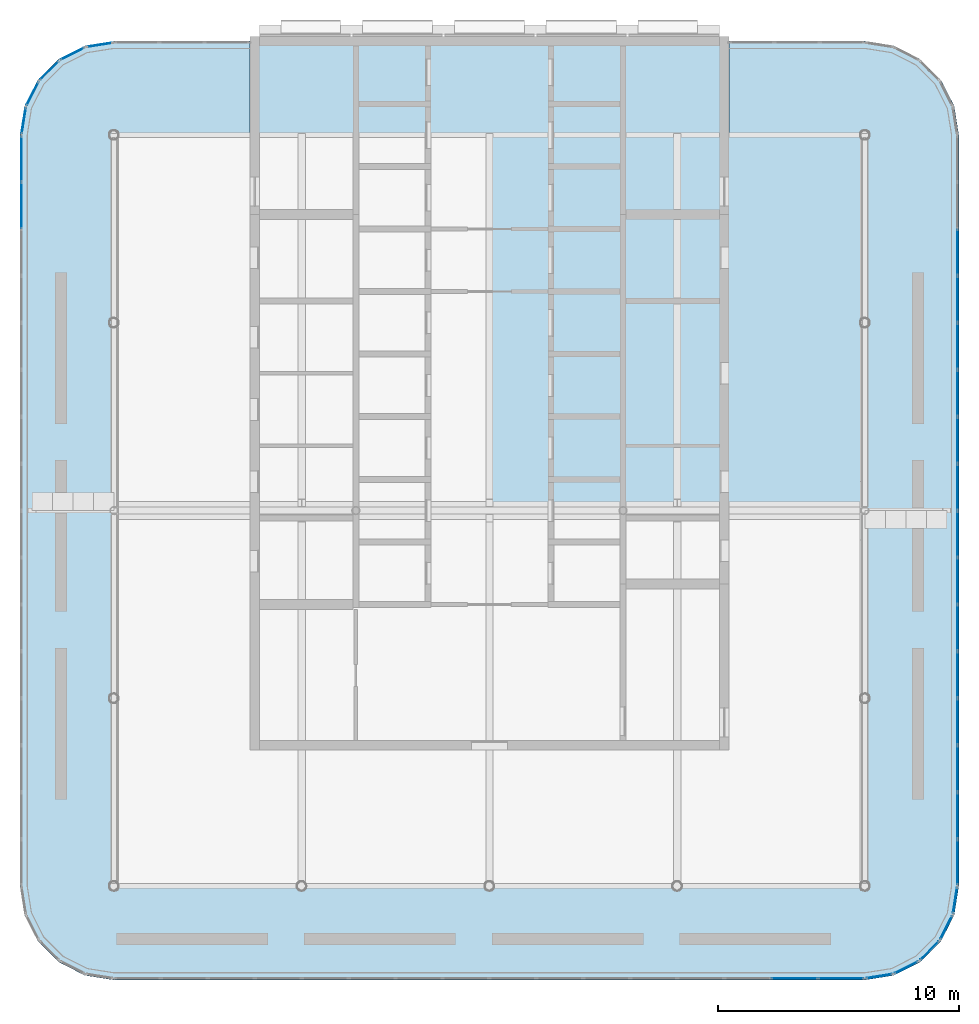
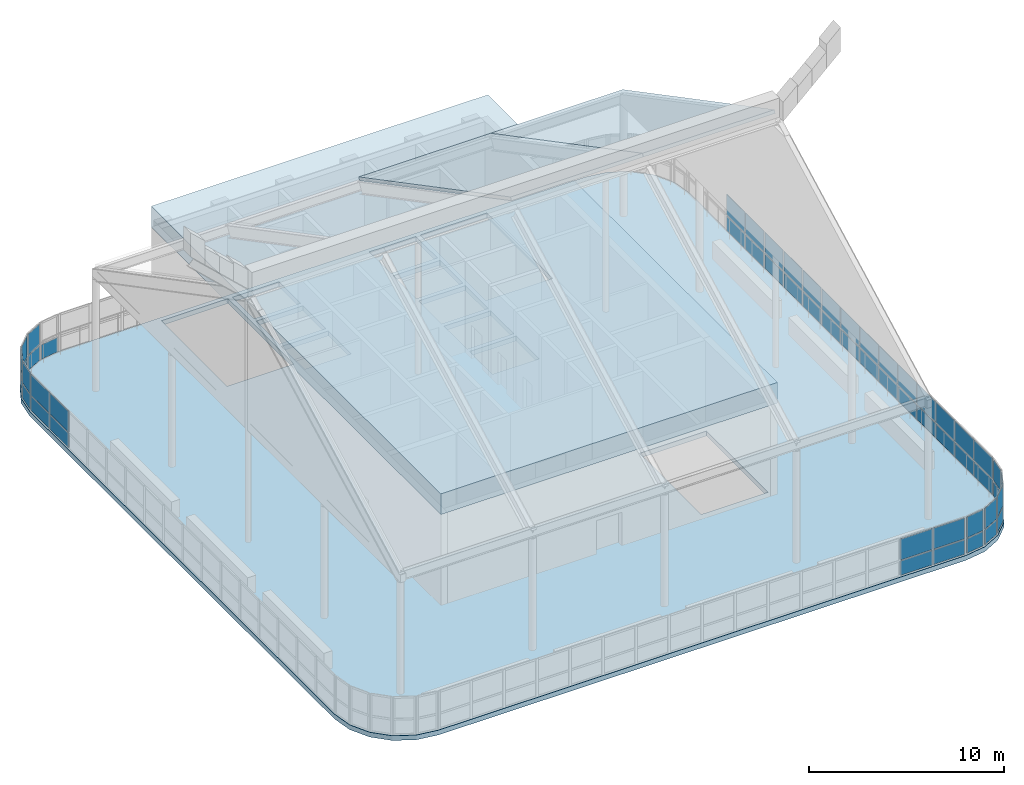
# One storey, part 14 of 19: 55 plates, 4 slabs, 13 elements without a shape of their own.
"""IFC4 building model written with IfcOpenShell, lengths in metres."""

from ifc_helpers import new_model, si_unit, direction, frame, origin, origin_2d, place, context, subcontext, project, spatial, polyline, rectangle, outline, extrude, material, layer, layer_set, type_object, element, aggregate, save


model = new_model("IFC4")

# Units and contexts
model_context = context("Model", 3, precision=1e-05, world=origin(), true_north=direction((0.0, 1.0)))
body_context = subcontext(model_context, "Body", "Model", "MODEL_VIEW")
ifc_project = project(units=[si_unit("LENGTHUNIT", "METRE"), si_unit("AREAUNIT", "SQUARE_METRE"), si_unit("VOLUMEUNIT", "CUBIC_METRE"), si_unit("PLANEANGLEUNIT", "RADIAN"), si_unit("MASSUNIT", "GRAM", prefix="KILO")], contexts=[model_context])

# Site, building, storey
site_placement = place(None, origin())
site = spatial("IfcSite", under=ifc_project, at=site_placement, CompositionType="ELEMENT")
building_placement = place(site_placement, origin())
building = spatial("IfcBuilding", under=site, at=building_placement, Name="Ludao Terraces", CompositionType="ELEMENT")
storey_placement = place(building_placement, frame((0.0, 0.0, 266.39990234375)))
storey = spatial("IfcBuildingStorey", under=building, at=storey_placement, Name="L73", CompositionType="ELEMENT", Elevation=266.39990234375)

# Slabs
ifc_material_1 = material(Name="Concrete C40", Category="concrete")
ifc_layer_1 = layer(ifc_material_1, 1.29541015625)
ifc_layer_set_1 = layer_set([ifc_layer_1], Name="Crown transfer slab 1295 C40")
slab_type_1 = type_object("IfcSlabType", Name="Crown transfer slab 1295 C40", PredefinedType="ROOF", material=ifc_layer_set_1)
slab_1_placement = place(storey_placement, frame((0.0, 0.0, 5.7001953125)))
element("IfcSlab", 1, at=slab_1_placement, inside=storey, type_object=slab_type_1, Name="Crown transfer slab", PredefinedType="ROOF", context=body_context, shape_type="SweptSolid", body=[
    extrude(outline(polyline([(75.050048828125, 55.050048828125), (94.949951171875, 55.050048828125), (94.949951171875, 84.699951171875), (75.050048828125, 84.699951171875), (75.050048828125, 55.050048828125)])), origin(), (0.0, 0.0, 1.0), 1.29541015625),
])
ifc_layer_2 = layer(ifc_material_1, 0.300048828125)
ifc_layer_set_2 = layer_set([ifc_layer_2], Name="Deck slab 300 C40")
slab_type_2 = type_object("IfcSlabType", Name="Deck slab 300 C40", PredefinedType="FLOOR", material=ifc_layer_set_2)
slab_2_placement = place(storey_placement, frame((0.0, 0.0, -0.2998046875)))
element("IfcSlab", 2, at=slab_2_placement, inside=storey, type_object=slab_type_2, Name="Slab L73", PredefinedType="FLOOR", context=body_context, shape_type="SweptSolid", body=[
    extrude(outline(polyline([(100.60009765625, 45.5), (101.80517578125, 45.69091796875), (102.892333984375, 46.244873046875), (103.755126953125, 47.107666015625), (104.30908203125, 48.19482421875), (104.5, 49.39990234375), (104.5, 80.60009765625), (104.30908203125, 81.80517578125), (103.755126953125, 82.892333984375), (102.892333984375, 83.755126953125), (101.80517578125, 84.30908203125), (100.60009765625, 84.5), (69.39990234375, 84.5), (68.19482421875, 84.30908203125), (67.107666015625, 83.755126953125), (66.244873046875, 82.892333984375), (65.69091796875, 81.80517578125), (65.5, 80.60009765625), (65.5, 49.39990234375), (65.69091796875, 48.19482421875), (66.244873046875, 47.107666015625), (67.107666015625, 46.244873046875), (68.19482421875, 45.69091796875), (69.39990234375, 45.5), (100.60009765625, 45.5)]), holes=[polyline([(79.574951171875, 76.824951171875), (82.324951171875, 76.824951171875), (82.324951171875, 79.175048828125), (79.574951171875, 79.175048828125), (79.574951171875, 76.824951171875)]), polyline([(79.574951171875, 79.425048828125), (82.324951171875, 79.425048828125), (82.324951171875, 81.77490234375), (79.574951171875, 81.77490234375), (79.574951171875, 79.425048828125)]), polyline([(79.574951171875, 82.02490234375), (82.324951171875, 82.02490234375), (82.324951171875, 84.239990234375), (79.574951171875, 84.239990234375), (79.574951171875, 82.02490234375)]), polyline([(87.675048828125, 71.625), (90.425048828125, 71.625), (90.425048828125, 73.97509765625), (87.675048828125, 73.97509765625), (87.675048828125, 71.625)]), polyline([(87.675048828125, 74.22509765625), (90.425048828125, 74.22509765625), (90.425048828125, 76.574951171875), (87.675048828125, 76.574951171875), (87.675048828125, 74.22509765625)]), polyline([(87.675048828125, 76.824951171875), (90.425048828125, 76.824951171875), (90.425048828125, 79.175048828125), (87.675048828125, 79.175048828125), (87.675048828125, 76.824951171875)]), polyline([(87.675048828125, 79.425048828125), (90.425048828125, 79.425048828125), (90.425048828125, 81.77490234375), (87.675048828125, 81.77490234375), (87.675048828125, 79.425048828125)]), polyline([(87.675048828125, 82.02490234375), (90.425048828125, 82.02490234375), (90.425048828125, 84.239990234375), (87.675048828125, 84.239990234375), (87.675048828125, 82.02490234375)]), polyline([(75.375, 77.5), (79.324951171875, 77.5), (79.324951171875, 84.239990234375), (75.375, 84.239990234375), (75.375, 77.5)]), polyline([(90.675048828125, 77.5), (94.625, 77.5), (94.625, 84.239990234375), (90.675048828125, 84.239990234375), (90.675048828125, 77.5)]), polyline([(90.675048828125, 55.449951171875), (94.625, 55.449951171875), (94.625, 61.75), (90.675048828125, 61.75), (90.675048828125, 55.449951171875)])]), origin(), (0.0, 0.0, 1.0), 0.2998046875),
])

# Curtain wall, plates
ifc_material_2 = material(Name="Aluminium curtain wall with fritted glass", Category="aluminium")
curtain_wall_type = type_object("IfcCurtainWallType", Name="ENV CW6 crown screen glazing", PredefinedType="NOTDEFINED", material=ifc_material_2)
curtain_wall_1_placement = place(storey_placement, origin())
curtain_wall_1 = element("IfcCurtainWall", 3, at=curtain_wall_1_placement, inside=storey, type_object=curtain_wall_type, Name="Deck windscreen S1", PredefinedType="NOTDEFINED")
ifc_material_3 = material(Name="Fritted glass panel", Category="glass")
ifc_layer_3 = layer(ifc_material_3, 0.030029296875)
ifc_layer_set_3 = layer_set([ifc_layer_3], Name="ENV CW6 glass panel")
plate_type = type_object("IfcPlateType", Name="ENV CW6 glass panel", PredefinedType="CURTAIN_PANEL", material=ifc_layer_set_3)
plate_1_placement = place(storey_placement, frame((97.675048828125, 45.56005859375, 0.070068359375), z_axis=(0.0, 0.0, 1.0), x_axis=(1.0, 0.0, 0.0)))
plate_1 = element("IfcPlate", 4, at=plate_1_placement, type_object=plate_type, Name="CW6 panel 15.1", PredefinedType="CURTAIN_PANEL", context=body_context, shape_type="SweptSolid", body=[
    extrude(rectangle(XDim=1.8798828125, YDim=0.030029296875, at=origin_2d()), origin(), (0.0, 0.0, 1.0), 0.89501953125),
])
plate_2_placement = place(storey_placement, frame((97.675048828125, 45.56005859375, 1.03515625), z_axis=(0.0, 0.0, 1.0), x_axis=(1.0, 0.0, 0.0)))
plate_2 = element("IfcPlate", 5, at=plate_2_placement, type_object=plate_type, Name="CW6 panel 15.2", PredefinedType="CURTAIN_PANEL", context=body_context, shape_type="SweptSolid", body=[
    extrude(rectangle(XDim=1.8798828125, YDim=0.030029296875, at=origin_2d()), origin(), (0.0, 0.0, 1.0), 1.294921875),
])
plate_3_placement = place(storey_placement, frame((99.607421875, 45.56005859375, 0.070068359375), z_axis=(0.0, 0.0, 1.0), x_axis=(1.0, 0.0, 0.0)))
plate_3 = element("IfcPlate", 6, at=plate_3_placement, type_object=plate_type, Name="CW6 panel 16.1", PredefinedType="CURTAIN_PANEL", context=body_context, shape_type="SweptSolid", body=[
    extrude(rectangle(XDim=1.844970703125, YDim=0.030029296875, at=origin_2d()), origin(), (0.0, 0.0, 1.0), 0.89501953125),
])
plate_4_placement = place(storey_placement, frame((99.607421875, 45.56005859375, 1.03515625), z_axis=(0.0, 0.0, 1.0), x_axis=(1.0, 0.0, 0.0)))
plate_4 = element("IfcPlate", 7, at=plate_4_placement, type_object=plate_type, Name="CW6 panel 16.2", PredefinedType="CURTAIN_PANEL", context=body_context, shape_type="SweptSolid", body=[
    extrude(rectangle(XDim=1.844970703125, YDim=0.030029296875, at=origin_2d()), origin(), (0.0, 0.0, 1.0), 1.294921875),
])
aggregate(curtain_wall_1, [plate_1, plate_2, plate_3, plate_4])

curtain_wall_2_placement = place(storey_placement, origin())
curtain_wall_2 = element("IfcCurtainWall", 8, at=curtain_wall_2_placement, inside=storey, type_object=curtain_wall_type, Name="Deck windscreen E1", PredefinedType="NOTDEFINED")
plate_5_placement = place(storey_placement, frame((104.43994140625, 50.392578125, 0.070068359375), z_axis=(0.0, 0.0, 1.0), x_axis=(0.0, 1.0, 0.0)))
plate_5 = element("IfcPlate", 9, at=plate_5_placement, type_object=plate_type, Name="CW6 panel 1.1", PredefinedType="CURTAIN_PANEL", context=body_context, shape_type="SweptSolid", body=[
    extrude(rectangle(XDim=1.844970703125, YDim=0.030029296875, at=origin_2d()), origin(), (0.0, 0.0, 1.0), 0.89501953125),
])
plate_6_placement = place(storey_placement, frame((104.43994140625, 50.392578125, 1.03515625), z_axis=(0.0, 0.0, 1.0), x_axis=(0.0, 1.0, 0.0)))
plate_6 = element("IfcPlate", 10, at=plate_6_placement, type_object=plate_type, Name="CW6 panel 1.2", PredefinedType="CURTAIN_PANEL", context=body_context, shape_type="SweptSolid", body=[
    extrude(rectangle(XDim=1.844970703125, YDim=0.030029296875, at=origin_2d()), origin(), (0.0, 0.0, 1.0), 1.294921875),
])
plate_7_placement = place(storey_placement, frame((104.43994140625, 52.324951171875, 0.070068359375), z_axis=(0.0, 0.0, 1.0), x_axis=(0.0, 1.0, 0.0)))
plate_7 = element("IfcPlate", 11, at=plate_7_placement, type_object=plate_type, Name="CW6 panel 2.1", PredefinedType="CURTAIN_PANEL", context=body_context, shape_type="SweptSolid", body=[
    extrude(rectangle(XDim=1.8798828125, YDim=0.030029296875, at=origin_2d()), origin(), (0.0, 0.0, 1.0), 0.89501953125),
])
plate_8_placement = place(storey_placement, frame((104.43994140625, 52.324951171875, 1.03515625), z_axis=(0.0, 0.0, 1.0), x_axis=(0.0, 1.0, 0.0)))
plate_8 = element("IfcPlate", 12, at=plate_8_placement, type_object=plate_type, Name="CW6 panel 2.2", PredefinedType="CURTAIN_PANEL", context=body_context, shape_type="SweptSolid", body=[
    extrude(rectangle(XDim=1.8798828125, YDim=0.030029296875, at=origin_2d()), origin(), (0.0, 0.0, 1.0), 1.294921875),
])
plate_9_placement = place(storey_placement, frame((104.43994140625, 54.27490234375, 0.070068359375), z_axis=(0.0, 0.0, 1.0), x_axis=(0.0, 1.0, 0.0)))
plate_9 = element("IfcPlate", 13, at=plate_9_placement, type_object=plate_type, Name="CW6 panel 3.1", PredefinedType="CURTAIN_PANEL", context=body_context, shape_type="SweptSolid", body=[
    extrude(rectangle(XDim=1.8798828125, YDim=0.030029296875, at=origin_2d()), origin(), (0.0, 0.0, 1.0), 0.89501953125),
])
plate_10_placement = place(storey_placement, frame((104.43994140625, 54.27490234375, 1.03515625), z_axis=(0.0, 0.0, 1.0), x_axis=(0.0, 1.0, 0.0)))
plate_10 = element("IfcPlate", 14, at=plate_10_placement, type_object=plate_type, Name="CW6 panel 3.2", PredefinedType="CURTAIN_PANEL", context=body_context, shape_type="SweptSolid", body=[
    extrude(rectangle(XDim=1.8798828125, YDim=0.030029296875, at=origin_2d()), origin(), (0.0, 0.0, 1.0), 1.294921875),
])
plate_11_placement = place(storey_placement, frame((104.43994140625, 56.22509765625, 0.070068359375), z_axis=(0.0, 0.0, 1.0), x_axis=(0.0, 1.0, 0.0)))
plate_11 = element("IfcPlate", 15, at=plate_11_placement, type_object=plate_type, Name="CW6 panel 4.1", PredefinedType="CURTAIN_PANEL", context=body_context, shape_type="SweptSolid", body=[
    extrude(rectangle(XDim=1.8798828125, YDim=0.030029296875, at=origin_2d()), origin(), (0.0, 0.0, 1.0), 0.89501953125),
])
plate_12_placement = place(storey_placement, frame((104.43994140625, 56.22509765625, 1.03515625), z_axis=(0.0, 0.0, 1.0), x_axis=(0.0, 1.0, 0.0)))
plate_12 = element("IfcPlate", 16, at=plate_12_placement, type_object=plate_type, Name="CW6 panel 4.2", PredefinedType="CURTAIN_PANEL", context=body_context, shape_type="SweptSolid", body=[
    extrude(rectangle(XDim=1.8798828125, YDim=0.030029296875, at=origin_2d()), origin(), (0.0, 0.0, 1.0), 1.294921875),
])
plate_13_placement = place(storey_placement, frame((104.43994140625, 58.175048828125, 0.070068359375), z_axis=(0.0, 0.0, 1.0), x_axis=(0.0, 1.0, 0.0)))
plate_13 = element("IfcPlate", 17, at=plate_13_placement, type_object=plate_type, Name="CW6 panel 5.1", PredefinedType="CURTAIN_PANEL", context=body_context, shape_type="SweptSolid", body=[
    extrude(rectangle(XDim=1.8798828125, YDim=0.030029296875, at=origin_2d()), origin(), (0.0, 0.0, 1.0), 0.89501953125),
])
plate_14_placement = place(storey_placement, frame((104.43994140625, 58.175048828125, 1.03515625), z_axis=(0.0, 0.0, 1.0), x_axis=(0.0, 1.0, 0.0)))
plate_14 = element("IfcPlate", 18, at=plate_14_placement, type_object=plate_type, Name="CW6 panel 5.2", PredefinedType="CURTAIN_PANEL", context=body_context, shape_type="SweptSolid", body=[
    extrude(rectangle(XDim=1.8798828125, YDim=0.030029296875, at=origin_2d()), origin(), (0.0, 0.0, 1.0), 1.294921875),
])
plate_15_placement = place(storey_placement, frame((104.43994140625, 60.125, 0.070068359375), z_axis=(0.0, 0.0, 1.0), x_axis=(0.0, 1.0, 0.0)))
plate_15 = element("IfcPlate", 19, at=plate_15_placement, type_object=plate_type, Name="CW6 panel 6.1", PredefinedType="CURTAIN_PANEL", context=body_context, shape_type="SweptSolid", body=[
    extrude(rectangle(XDim=1.8798828125, YDim=0.030029296875, at=origin_2d()), origin(), (0.0, 0.0, 1.0), 0.89501953125),
])
plate_16_placement = place(storey_placement, frame((104.43994140625, 60.125, 1.03515625), z_axis=(0.0, 0.0, 1.0), x_axis=(0.0, 1.0, 0.0)))
plate_16 = element("IfcPlate", 20, at=plate_16_placement, type_object=plate_type, Name="CW6 panel 6.2", PredefinedType="CURTAIN_PANEL", context=body_context, shape_type="SweptSolid", body=[
    extrude(rectangle(XDim=1.8798828125, YDim=0.030029296875, at=origin_2d()), origin(), (0.0, 0.0, 1.0), 1.294921875),
])
plate_17_placement = place(storey_placement, frame((104.43994140625, 62.074951171875, 0.070068359375), z_axis=(0.0, 0.0, 1.0), x_axis=(0.0, 1.0, 0.0)))
plate_17 = element("IfcPlate", 21, at=plate_17_placement, type_object=plate_type, Name="CW6 panel 7.1", PredefinedType="CURTAIN_PANEL", context=body_context, shape_type="SweptSolid", body=[
    extrude(rectangle(XDim=1.8798828125, YDim=0.030029296875, at=origin_2d()), origin(), (0.0, 0.0, 1.0), 0.89501953125),
])
plate_18_placement = place(storey_placement, frame((104.43994140625, 62.074951171875, 1.03515625), z_axis=(0.0, 0.0, 1.0), x_axis=(0.0, 1.0, 0.0)))
plate_18 = element("IfcPlate", 22, at=plate_18_placement, type_object=plate_type, Name="CW6 panel 7.2", PredefinedType="CURTAIN_PANEL", context=body_context, shape_type="SweptSolid", body=[
    extrude(rectangle(XDim=1.8798828125, YDim=0.030029296875, at=origin_2d()), origin(), (0.0, 0.0, 1.0), 1.294921875),
])
plate_19_placement = place(storey_placement, frame((104.43994140625, 64.02490234375, 0.070068359375), z_axis=(0.0, 0.0, 1.0), x_axis=(0.0, 1.0, 0.0)))
plate_19 = element("IfcPlate", 23, at=plate_19_placement, type_object=plate_type, Name="CW6 panel 8.1", PredefinedType="CURTAIN_PANEL", context=body_context, shape_type="SweptSolid", body=[
    extrude(rectangle(XDim=1.8798828125, YDim=0.030029296875, at=origin_2d()), origin(), (0.0, 0.0, 1.0), 0.89501953125),
])
plate_20_placement = place(storey_placement, frame((104.43994140625, 64.02490234375, 1.03515625), z_axis=(0.0, 0.0, 1.0), x_axis=(0.0, 1.0, 0.0)))
plate_20 = element("IfcPlate", 24, at=plate_20_placement, type_object=plate_type, Name="CW6 panel 8.2", PredefinedType="CURTAIN_PANEL", context=body_context, shape_type="SweptSolid", body=[
    extrude(rectangle(XDim=1.8798828125, YDim=0.030029296875, at=origin_2d()), origin(), (0.0, 0.0, 1.0), 1.294921875),
])
plate_21_placement = place(storey_placement, frame((104.43994140625, 65.97509765625, 0.070068359375), z_axis=(0.0, 0.0, 1.0), x_axis=(0.0, 1.0, 0.0)))
plate_21 = element("IfcPlate", 25, at=plate_21_placement, type_object=plate_type, Name="CW6 panel 9.1", PredefinedType="CURTAIN_PANEL", context=body_context, shape_type="SweptSolid", body=[
    extrude(rectangle(XDim=1.8798828125, YDim=0.030029296875, at=origin_2d()), origin(), (0.0, 0.0, 1.0), 0.89501953125),
])
plate_22_placement = place(storey_placement, frame((104.43994140625, 65.97509765625, 1.03515625), z_axis=(0.0, 0.0, 1.0), x_axis=(0.0, 1.0, 0.0)))
plate_22 = element("IfcPlate", 26, at=plate_22_placement, type_object=plate_type, Name="CW6 panel 9.2", PredefinedType="CURTAIN_PANEL", context=body_context, shape_type="SweptSolid", body=[
    extrude(rectangle(XDim=1.8798828125, YDim=0.030029296875, at=origin_2d()), origin(), (0.0, 0.0, 1.0), 1.294921875),
])
plate_23_placement = place(storey_placement, frame((104.43994140625, 67.925048828125, 0.070068359375), z_axis=(0.0, 0.0, 1.0), x_axis=(0.0, 1.0, 0.0)))
plate_23 = element("IfcPlate", 27, at=plate_23_placement, type_object=plate_type, Name="CW6 panel 10.1", PredefinedType="CURTAIN_PANEL", context=body_context, shape_type="SweptSolid", body=[
    extrude(rectangle(XDim=1.8798828125, YDim=0.030029296875, at=origin_2d()), origin(), (0.0, 0.0, 1.0), 0.89501953125),
])
plate_24_placement = place(storey_placement, frame((104.43994140625, 67.925048828125, 1.03515625), z_axis=(0.0, 0.0, 1.0), x_axis=(0.0, 1.0, 0.0)))
plate_24 = element("IfcPlate", 28, at=plate_24_placement, type_object=plate_type, Name="CW6 panel 10.2", PredefinedType="CURTAIN_PANEL", context=body_context, shape_type="SweptSolid", body=[
    extrude(rectangle(XDim=1.8798828125, YDim=0.030029296875, at=origin_2d()), origin(), (0.0, 0.0, 1.0), 1.294921875),
])
plate_25_placement = place(storey_placement, frame((104.43994140625, 69.875, 0.070068359375), z_axis=(0.0, 0.0, 1.0), x_axis=(0.0, 1.0, 0.0)))
plate_25 = element("IfcPlate", 29, at=plate_25_placement, type_object=plate_type, Name="CW6 panel 11.1", PredefinedType="CURTAIN_PANEL", context=body_context, shape_type="SweptSolid", body=[
    extrude(rectangle(XDim=1.8798828125, YDim=0.030029296875, at=origin_2d()), origin(), (0.0, 0.0, 1.0), 0.89501953125),
])
plate_26_placement = place(storey_placement, frame((104.43994140625, 69.875, 1.03515625), z_axis=(0.0, 0.0, 1.0), x_axis=(0.0, 1.0, 0.0)))
plate_26 = element("IfcPlate", 30, at=plate_26_placement, type_object=plate_type, Name="CW6 panel 11.2", PredefinedType="CURTAIN_PANEL", context=body_context, shape_type="SweptSolid", body=[
    extrude(rectangle(XDim=1.8798828125, YDim=0.030029296875, at=origin_2d()), origin(), (0.0, 0.0, 1.0), 1.294921875),
])
plate_27_placement = place(storey_placement, frame((104.43994140625, 71.824951171875, 0.070068359375), z_axis=(0.0, 0.0, 1.0), x_axis=(0.0, 1.0, 0.0)))
plate_27 = element("IfcPlate", 31, at=plate_27_placement, type_object=plate_type, Name="CW6 panel 12.1", PredefinedType="CURTAIN_PANEL", context=body_context, shape_type="SweptSolid", body=[
    extrude(rectangle(XDim=1.8798828125, YDim=0.030029296875, at=origin_2d()), origin(), (0.0, 0.0, 1.0), 0.89501953125),
])
plate_28_placement = place(storey_placement, frame((104.43994140625, 71.824951171875, 1.03515625), z_axis=(0.0, 0.0, 1.0), x_axis=(0.0, 1.0, 0.0)))
plate_28 = element("IfcPlate", 32, at=plate_28_placement, type_object=plate_type, Name="CW6 panel 12.2", PredefinedType="CURTAIN_PANEL", context=body_context, shape_type="SweptSolid", body=[
    extrude(rectangle(XDim=1.8798828125, YDim=0.030029296875, at=origin_2d()), origin(), (0.0, 0.0, 1.0), 1.294921875),
])
plate_29_placement = place(storey_placement, frame((104.43994140625, 73.77490234375, 0.070068359375), z_axis=(0.0, 0.0, 1.0), x_axis=(0.0, 1.0, 0.0)))
plate_29 = element("IfcPlate", 33, at=plate_29_placement, type_object=plate_type, Name="CW6 panel 13.1", PredefinedType="CURTAIN_PANEL", context=body_context, shape_type="SweptSolid", body=[
    extrude(rectangle(XDim=1.8798828125, YDim=0.030029296875, at=origin_2d()), origin(), (0.0, 0.0, 1.0), 0.89501953125),
])
plate_30_placement = place(storey_placement, frame((104.43994140625, 73.77490234375, 1.03515625), z_axis=(0.0, 0.0, 1.0), x_axis=(0.0, 1.0, 0.0)))
plate_30 = element("IfcPlate", 34, at=plate_30_placement, type_object=plate_type, Name="CW6 panel 13.2", PredefinedType="CURTAIN_PANEL", context=body_context, shape_type="SweptSolid", body=[
    extrude(rectangle(XDim=1.8798828125, YDim=0.030029296875, at=origin_2d()), origin(), (0.0, 0.0, 1.0), 1.294921875),
])
plate_31_placement = place(storey_placement, frame((104.43994140625, 75.72509765625, 0.070068359375), z_axis=(0.0, 0.0, 1.0), x_axis=(0.0, 1.0, 0.0)))
plate_31 = element("IfcPlate", 35, at=plate_31_placement, type_object=plate_type, Name="CW6 panel 14.1", PredefinedType="CURTAIN_PANEL", context=body_context, shape_type="SweptSolid", body=[
    extrude(rectangle(XDim=1.8798828125, YDim=0.030029296875, at=origin_2d()), origin(), (0.0, 0.0, 1.0), 0.89501953125),
])
plate_32_placement = place(storey_placement, frame((104.43994140625, 75.72509765625, 1.03515625), z_axis=(0.0, 0.0, 1.0), x_axis=(0.0, 1.0, 0.0)))
plate_32 = element("IfcPlate", 36, at=plate_32_placement, type_object=plate_type, Name="CW6 panel 14.2", PredefinedType="CURTAIN_PANEL", context=body_context, shape_type="SweptSolid", body=[
    extrude(rectangle(XDim=1.8798828125, YDim=0.030029296875, at=origin_2d()), origin(), (0.0, 0.0, 1.0), 1.294921875),
])
aggregate(curtain_wall_2, [plate_5, plate_6, plate_7, plate_8, plate_9, plate_10, plate_11, plate_12, plate_13, plate_14, plate_15, plate_16, plate_17, plate_18, plate_19, plate_20, plate_21, plate_22, plate_23, plate_24, plate_25, plate_26, plate_27, plate_28, plate_29, plate_30, plate_31, plate_32])

curtain_wall_3_placement = place(storey_placement, origin())
curtain_wall_3 = element("IfcCurtainWall", 37, at=curtain_wall_3_placement, inside=storey, type_object=curtain_wall_type, Name="Deck windscreen W1", PredefinedType="NOTDEFINED")
plate_33_placement = place(storey_placement, frame((65.56005859375, 77.675048828125, 0.070068359375), z_axis=(0.0, 0.0, 1.0), x_axis=(0.0, 1.0, 0.0)))
plate_33 = element("IfcPlate", 38, at=plate_33_placement, type_object=plate_type, Name="CW6 panel 15.1", PredefinedType="CURTAIN_PANEL", context=body_context, shape_type="SweptSolid", body=[
    extrude(rectangle(XDim=1.8798828125, YDim=0.030029296875, at=origin_2d()), origin(), (0.0, 0.0, 1.0), 0.89501953125),
])
plate_34_placement = place(storey_placement, frame((65.56005859375, 77.675048828125, 1.03515625), z_axis=(0.0, 0.0, 1.0), x_axis=(0.0, 1.0, 0.0)))
plate_34 = element("IfcPlate", 39, at=plate_34_placement, type_object=plate_type, Name="CW6 panel 15.2", PredefinedType="CURTAIN_PANEL", context=body_context, shape_type="SweptSolid", body=[
    extrude(rectangle(XDim=1.8798828125, YDim=0.030029296875, at=origin_2d()), origin(), (0.0, 0.0, 1.0), 1.294921875),
])
plate_35_placement = place(storey_placement, frame((65.56005859375, 79.607421875, 0.070068359375), z_axis=(0.0, 0.0, 1.0), x_axis=(0.0, 1.0, 0.0)))
plate_35 = element("IfcPlate", 40, at=plate_35_placement, type_object=plate_type, Name="CW6 panel 16.1", PredefinedType="CURTAIN_PANEL", context=body_context, shape_type="SweptSolid", body=[
    extrude(rectangle(XDim=1.844970703125, YDim=0.030029296875, at=origin_2d()), origin(), (0.0, 0.0, 1.0), 0.89501953125),
])
plate_36_placement = place(storey_placement, frame((65.56005859375, 79.607421875, 1.03515625), z_axis=(0.0, 0.0, 1.0), x_axis=(0.0, 1.0, 0.0)))
plate_36 = element("IfcPlate", 41, at=plate_36_placement, type_object=plate_type, Name="CW6 panel 16.2", PredefinedType="CURTAIN_PANEL", context=body_context, shape_type="SweptSolid", body=[
    extrude(rectangle(XDim=1.844970703125, YDim=0.030029296875, at=origin_2d()), origin(), (0.0, 0.0, 1.0), 1.294921875),
])
aggregate(curtain_wall_3, [plate_33, plate_34, plate_35, plate_36])

curtain_wall_4_placement = place(storey_placement, origin())
curtain_wall_4 = element("IfcCurtainWall", 42, at=curtain_wall_4_placement, inside=storey, type_object=curtain_wall_type, Name="Deck windscreen SE1", PredefinedType="NOTDEFINED")
plate_37_placement = place(storey_placement, frame((101.193359375, 45.654052734375, 0.070068359375), z_axis=(0.0, 0.0, 1.0), x_axis=(0.987688332429, 0.1564345166, 0.0)))
plate_37 = element("IfcPlate", 43, at=plate_37_placement, type_object=plate_type, Name="CW6 panel 1.1", PredefinedType="CURTAIN_PANEL", context=body_context, shape_type="SweptSolid", body=[
    extrude(rectangle(XDim=1.0615234375, YDim=0.030029296875, at=origin_2d()), origin(), (0.0, 0.0, 1.0), 0.89501953125),
])
plate_38_placement = place(storey_placement, frame((101.193359375, 45.654052734375, 1.03515625), z_axis=(0.0, 0.0, 1.0), x_axis=(0.987688332429, 0.1564345166, 0.0)))
plate_38 = element("IfcPlate", 44, at=plate_38_placement, type_object=plate_type, Name="CW6 panel 1.2", PredefinedType="CURTAIN_PANEL", context=body_context, shape_type="SweptSolid", body=[
    extrude(rectangle(XDim=1.0615234375, YDim=0.030029296875, at=origin_2d()), origin(), (0.0, 0.0, 1.0), 1.294921875),
])
aggregate(curtain_wall_4, [plate_37, plate_38])

curtain_wall_5_placement = place(storey_placement, origin())
curtain_wall_5 = element("IfcCurtainWall", 45, at=curtain_wall_5_placement, inside=storey, type_object=curtain_wall_type, Name="Deck windscreen SE2", PredefinedType="NOTDEFINED")
plate_39_placement = place(storey_placement, frame((102.32177734375, 46.020751953125, 0.070068359375), z_axis=(0.0, 0.0, 1.0), x_axis=(0.891006425848, 0.453990692743, 0.0)))
plate_39 = element("IfcPlate", 46, at=plate_39_placement, type_object=plate_type, Name="CW6 panel 1.1", PredefinedType="CURTAIN_PANEL", context=body_context, shape_type="SweptSolid", body=[
    extrude(rectangle(XDim=1.0615234375, YDim=0.030029296875, at=origin_2d()), origin(), (0.0, 0.0, 1.0), 0.89501953125),
])
plate_40_placement = place(storey_placement, frame((102.32177734375, 46.020751953125, 1.03515625), z_axis=(0.0, 0.0, 1.0), x_axis=(0.891006425848, 0.453990692743, 0.0)))
plate_40 = element("IfcPlate", 47, at=plate_40_placement, type_object=plate_type, Name="CW6 panel 1.2", PredefinedType="CURTAIN_PANEL", context=body_context, shape_type="SweptSolid", body=[
    extrude(rectangle(XDim=1.0615234375, YDim=0.030029296875, at=origin_2d()), origin(), (0.0, 0.0, 1.0), 1.294921875),
])
aggregate(curtain_wall_5, [plate_39, plate_40])

curtain_wall_6_placement = place(storey_placement, origin())
curtain_wall_6 = element("IfcCurtainWall", 48, at=curtain_wall_6_placement, inside=storey, type_object=curtain_wall_type, Name="Deck windscreen SE3", PredefinedType="NOTDEFINED")
plate_41_placement = place(storey_placement, frame((103.28173828125, 46.71826171875, 0.070068359375), z_axis=(0.0, 0.0, 1.0), x_axis=(0.707106781187, 0.707106781187, 0.0)))
plate_41 = element("IfcPlate", 49, at=plate_41_placement, type_object=plate_type, Name="CW6 panel 1.1", PredefinedType="CURTAIN_PANEL", context=body_context, shape_type="SweptSolid", body=[
    extrude(rectangle(XDim=1.0615234375, YDim=0.030029296875, at=origin_2d()), origin(), (0.0, 0.0, 1.0), 0.89501953125),
])
plate_42_placement = place(storey_placement, frame((103.28173828125, 46.71826171875, 1.03515625), z_axis=(0.0, 0.0, 1.0), x_axis=(0.707106781187, 0.707106781187, 0.0)))
plate_42 = element("IfcPlate", 50, at=plate_42_placement, type_object=plate_type, Name="CW6 panel 1.2", PredefinedType="CURTAIN_PANEL", context=body_context, shape_type="SweptSolid", body=[
    extrude(rectangle(XDim=1.0615234375, YDim=0.030029296875, at=origin_2d()), origin(), (0.0, 0.0, 1.0), 1.294921875),
])
aggregate(curtain_wall_6, [plate_41, plate_42])

curtain_wall_7_placement = place(storey_placement, origin())
curtain_wall_7 = element("IfcCurtainWall", 51, at=curtain_wall_7_placement, inside=storey, type_object=curtain_wall_type, Name="Deck windscreen SE4", PredefinedType="NOTDEFINED")
plate_43_placement = place(storey_placement, frame((103.979248046875, 47.67822265625, 0.070068359375), z_axis=(0.0, 0.0, 1.0), x_axis=(0.453990692743, 0.891006425848, 0.0)))
plate_43 = element("IfcPlate", 52, at=plate_43_placement, type_object=plate_type, Name="CW6 panel 1.1", PredefinedType="CURTAIN_PANEL", context=body_context, shape_type="SweptSolid", body=[
    extrude(rectangle(XDim=1.0615234375, YDim=0.030029296875, at=origin_2d()), origin(), (0.0, 0.0, 1.0), 0.89501953125),
])
plate_44_placement = place(storey_placement, frame((103.979248046875, 47.67822265625, 1.03515625), z_axis=(0.0, 0.0, 1.0), x_axis=(0.453990692743, 0.891006425848, 0.0)))
plate_44 = element("IfcPlate", 53, at=plate_44_placement, type_object=plate_type, Name="CW6 panel 1.2", PredefinedType="CURTAIN_PANEL", context=body_context, shape_type="SweptSolid", body=[
    extrude(rectangle(XDim=1.0615234375, YDim=0.030029296875, at=origin_2d()), origin(), (0.0, 0.0, 1.0), 1.294921875),
])
aggregate(curtain_wall_7, [plate_43, plate_44])

curtain_wall_8_placement = place(storey_placement, origin())
curtain_wall_8 = element("IfcCurtainWall", 54, at=curtain_wall_8_placement, inside=storey, type_object=curtain_wall_type, Name="Deck windscreen SE5", PredefinedType="NOTDEFINED")
plate_45_placement = place(storey_placement, frame((104.345947265625, 48.806640625, 0.070068359375), z_axis=(0.0, 0.0, 1.0), x_axis=(0.1564345166, 0.987688332429, 0.0)))
plate_45 = element("IfcPlate", 55, at=plate_45_placement, type_object=plate_type, Name="CW6 panel 1.1", PredefinedType="CURTAIN_PANEL", context=body_context, shape_type="SweptSolid", body=[
    extrude(rectangle(XDim=1.0615234375, YDim=0.030029296875, at=origin_2d()), origin(), (0.0, 0.0, 1.0), 0.89501953125),
])
plate_46_placement = place(storey_placement, frame((104.345947265625, 48.806640625, 1.03515625), z_axis=(0.0, 0.0, 1.0), x_axis=(0.1564345166, 0.987688332429, 0.0)))
plate_46 = element("IfcPlate", 56, at=plate_46_placement, type_object=plate_type, Name="CW6 panel 1.2", PredefinedType="CURTAIN_PANEL", context=body_context, shape_type="SweptSolid", body=[
    extrude(rectangle(XDim=1.0615234375, YDim=0.030029296875, at=origin_2d()), origin(), (0.0, 0.0, 1.0), 1.294921875),
])
aggregate(curtain_wall_8, [plate_45, plate_46])

# Curtain wall, plate
curtain_wall_9_placement = place(storey_placement, origin())
curtain_wall_9 = element("IfcCurtainWall", 57, at=curtain_wall_9_placement, inside=storey, type_object=curtain_wall_type, Name="Deck windscreen NW1", PredefinedType="NOTDEFINED")
plate_47_placement = place(storey_placement, frame((68.806640625, 84.345947265625, 0.070068359375), z_axis=(0.0, 0.0, 1.0), x_axis=(-0.987688332429, -0.1564345166, 0.0)))
plate_47 = element("IfcPlate", 58, at=plate_47_placement, type_object=plate_type, Name="CW6 panel 1.1", PredefinedType="CURTAIN_PANEL", context=body_context, shape_type="SweptSolid", body=[
    extrude(rectangle(XDim=1.0615234375, YDim=0.030029296875, at=origin_2d()), origin(), (0.0, 0.0, 1.0), 0.89501953125),
])
aggregate(curtain_wall_9, [plate_47])

# Curtain wall, plates
curtain_wall_10_placement = place(storey_placement, origin())
curtain_wall_10 = element("IfcCurtainWall", 59, at=curtain_wall_10_placement, inside=storey, type_object=curtain_wall_type, Name="Deck windscreen NW2", PredefinedType="NOTDEFINED")
plate_48_placement = place(storey_placement, frame((67.67822265625, 83.979248046875, 0.070068359375), z_axis=(0.0, 0.0, 1.0), x_axis=(-0.891006425848, -0.453990692743, 0.0)))
plate_48 = element("IfcPlate", 60, at=plate_48_placement, type_object=plate_type, Name="CW6 panel 1.1", PredefinedType="CURTAIN_PANEL", context=body_context, shape_type="SweptSolid", body=[
    extrude(rectangle(XDim=1.0615234375, YDim=0.030029296875, at=origin_2d()), origin(), (0.0, 0.0, 1.0), 0.89501953125),
])
plate_49_placement = place(storey_placement, frame((67.67822265625, 83.979248046875, 1.03515625), z_axis=(0.0, 0.0, 1.0), x_axis=(-0.891006425848, -0.453990692743, 0.0)))
plate_49 = element("IfcPlate", 61, at=plate_49_placement, type_object=plate_type, Name="CW6 panel 1.2", PredefinedType="CURTAIN_PANEL", context=body_context, shape_type="SweptSolid", body=[
    extrude(rectangle(XDim=1.0615234375, YDim=0.030029296875, at=origin_2d()), origin(), (0.0, 0.0, 1.0), 1.294921875),
])
aggregate(curtain_wall_10, [plate_48, plate_49])

curtain_wall_11_placement = place(storey_placement, origin())
curtain_wall_11 = element("IfcCurtainWall", 62, at=curtain_wall_11_placement, inside=storey, type_object=curtain_wall_type, Name="Deck windscreen NW3", PredefinedType="NOTDEFINED")
plate_50_placement = place(storey_placement, frame((66.71826171875, 83.28173828125, 0.070068359375), z_axis=(0.0, 0.0, 1.0), x_axis=(-0.707106781187, -0.707106781187, 0.0)))
plate_50 = element("IfcPlate", 63, at=plate_50_placement, type_object=plate_type, Name="CW6 panel 1.1", PredefinedType="CURTAIN_PANEL", context=body_context, shape_type="SweptSolid", body=[
    extrude(rectangle(XDim=1.0615234375, YDim=0.030029296875, at=origin_2d()), origin(), (0.0, 0.0, 1.0), 0.89501953125),
])
plate_51_placement = place(storey_placement, frame((66.71826171875, 83.28173828125, 1.03515625), z_axis=(0.0, 0.0, 1.0), x_axis=(-0.707106781187, -0.707106781187, 0.0)))
plate_51 = element("IfcPlate", 64, at=plate_51_placement, type_object=plate_type, Name="CW6 panel 1.2", PredefinedType="CURTAIN_PANEL", context=body_context, shape_type="SweptSolid", body=[
    extrude(rectangle(XDim=1.0615234375, YDim=0.030029296875, at=origin_2d()), origin(), (0.0, 0.0, 1.0), 1.294921875),
])
aggregate(curtain_wall_11, [plate_50, plate_51])

curtain_wall_12_placement = place(storey_placement, origin())
curtain_wall_12 = element("IfcCurtainWall", 65, at=curtain_wall_12_placement, inside=storey, type_object=curtain_wall_type, Name="Deck windscreen NW4", PredefinedType="NOTDEFINED")
plate_52_placement = place(storey_placement, frame((66.020751953125, 82.32177734375, 0.070068359375), z_axis=(0.0, 0.0, 1.0), x_axis=(-0.453990692743, -0.891006425848, 0.0)))
plate_52 = element("IfcPlate", 66, at=plate_52_placement, type_object=plate_type, Name="CW6 panel 1.1", PredefinedType="CURTAIN_PANEL", context=body_context, shape_type="SweptSolid", body=[
    extrude(rectangle(XDim=1.0615234375, YDim=0.030029296875, at=origin_2d()), origin(), (0.0, 0.0, 1.0), 0.89501953125),
])
plate_53_placement = place(storey_placement, frame((66.020751953125, 82.32177734375, 1.03515625), z_axis=(0.0, 0.0, 1.0), x_axis=(-0.453990692743, -0.891006425848, 0.0)))
plate_53 = element("IfcPlate", 67, at=plate_53_placement, type_object=plate_type, Name="CW6 panel 1.2", PredefinedType="CURTAIN_PANEL", context=body_context, shape_type="SweptSolid", body=[
    extrude(rectangle(XDim=1.0615234375, YDim=0.030029296875, at=origin_2d()), origin(), (0.0, 0.0, 1.0), 1.294921875),
])
aggregate(curtain_wall_12, [plate_52, plate_53])

curtain_wall_13_placement = place(storey_placement, origin())
curtain_wall_13 = element("IfcCurtainWall", 68, at=curtain_wall_13_placement, inside=storey, type_object=curtain_wall_type, Name="Deck windscreen NW5", PredefinedType="NOTDEFINED")
plate_54_placement = place(storey_placement, frame((65.654052734375, 81.193359375, 0.070068359375), z_axis=(0.0, 0.0, 1.0), x_axis=(-0.1564345166, -0.987688332429, 0.0)))
plate_54 = element("IfcPlate", 69, at=plate_54_placement, type_object=plate_type, Name="CW6 panel 1.1", PredefinedType="CURTAIN_PANEL", context=body_context, shape_type="SweptSolid", body=[
    extrude(rectangle(XDim=1.0615234375, YDim=0.030029296875, at=origin_2d()), origin(), (0.0, 0.0, 1.0), 0.89501953125),
])
plate_55_placement = place(storey_placement, frame((65.654052734375, 81.193359375, 1.03515625), z_axis=(0.0, 0.0, 1.0), x_axis=(-0.1564345166, -0.987688332429, 0.0)))
plate_55 = element("IfcPlate", 70, at=plate_55_placement, type_object=plate_type, Name="CW6 panel 1.2", PredefinedType="CURTAIN_PANEL", context=body_context, shape_type="SweptSolid", body=[
    extrude(rectangle(XDim=1.0615234375, YDim=0.030029296875, at=origin_2d()), origin(), (0.0, 0.0, 1.0), 1.294921875),
])
aggregate(curtain_wall_13, [plate_54, plate_55])

# Slabs
ifc_material_4 = material(Name="Aluminium roofing", Category="aluminium")
ifc_layer_4 = layer(ifc_material_4, 0.080078125)
ifc_material_5 = material(Name="Steel Q355", Category="steel")
ifc_layer_5 = layer(ifc_material_5, 0.1201171875, Category="steel")
ifc_layer_set_4 = layer_set([ifc_layer_4, ifc_layer_5], Name="ENV Canopy roof panel 200")
slab_type_3 = type_object("IfcSlabType", Name="ENV Canopy roof panel 200", PredefinedType="ROOF", material=ifc_layer_set_4)
for number, where, z_axis, x_axis, name in (
    (71, (85.0, 65.14990234375, 15.942626953125), (0.0, 0.465279350387, 0.885163897876), (1.0, 0.0, 0.0), "CAN-N3"),
    (72, (92.800048828125, 65.14990234375, 15.942626953125), (0.0, 0.465279350387, 0.885163897876), (1.0, 0.0, 0.0), "CAN-N4"),
):
    element("IfcSlab", number, at=place(storey_placement, frame(where, z_axis=z_axis, x_axis=x_axis)), inside=storey, type_object=slab_type_3, Name=name, PredefinedType="ROOF", context=body_context, shape_type="SweptSolid", body=[
        extrude(outline(polyline([(0.0, 0.0), (7.800048828125, 0.0), (7.800048828125, 17.559700444089724), (0.0, 17.559700444089724), (0.0, 0.0)])), origin(), (0.0, 0.0, -1.0), 0.199951171875),
    ])

save(model, "model.ifc")
